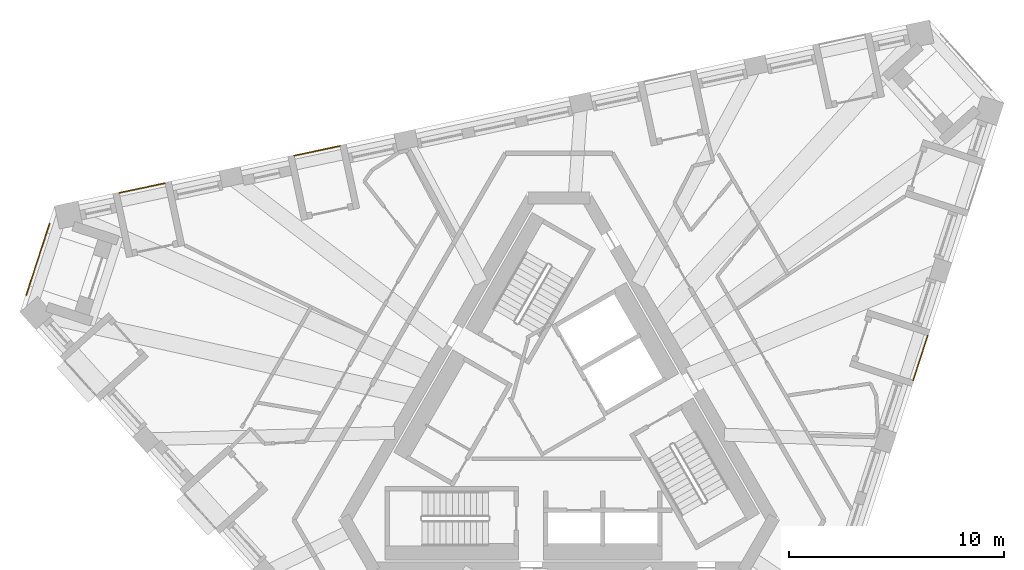
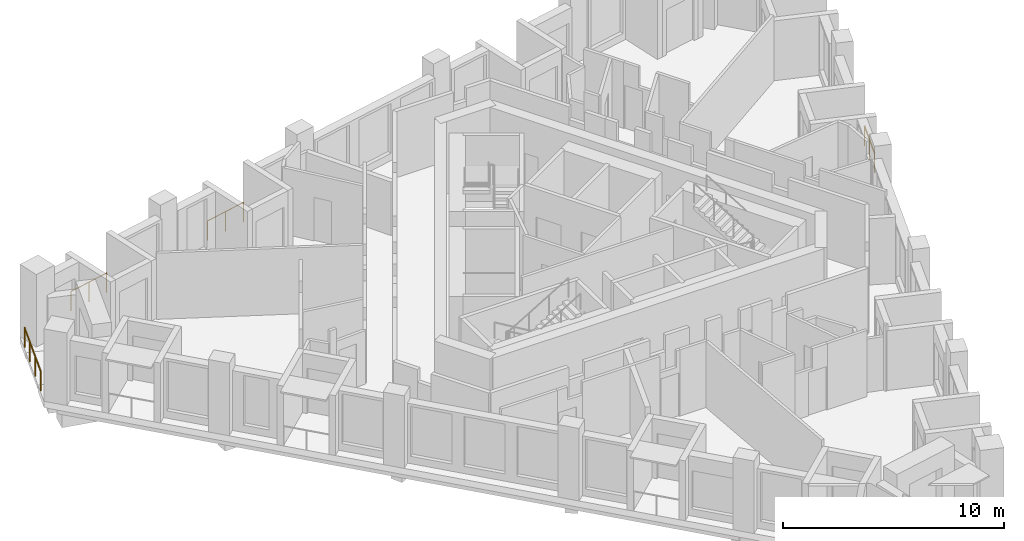
# One storey, part 11 of 12: 4 railings.
"""IFC4 building model written with IfcOpenShell, lengths in metres."""

import ifcopenshell
import ifcopenshell.guid

model = None  # the IFC model being written
_history = None  # IfcOwnerHistory: only IFC2X3 demands one
_inside = {}  # id of a spatial element -> (the spatial element, [elements in it])
_under = {}  # id of a project, library or spatial element -> (it, [spatial elements below it])
_declared = {}  # id of a project -> (the project, [libraries it declares])
_typed = {}  # id of a type object -> (the type object, [elements of that type])
_made_of = {}  # id of a material, layer set ... -> (it, [elements and type objects made of it])


def new_model(schema):
    """Start an empty IFC model of exactly this schema.

    Asked for "IFC4X3", IfcOpenShell would pick the latest addendum, in which some entities
    have other attributes; the version numbers below select the first issue.
    IFC2X3 requires an IfcOwnerHistory on every rooted entity: one is made here for all.
    """
    global model, _history
    if schema == "IFC4X3":
        model = ifcopenshell.file(schema_version=(4, 3, 0, 0))
    else:
        model = ifcopenshell.file(schema=schema)
    _inside.clear()
    _under.clear()
    _declared.clear()
    _typed.clear()
    _made_of.clear()
    _history = None
    if model.schema == "IFC2X3":
        org = make("IfcOrganization", Name="unknown")
        user = make(
            "IfcPersonAndOrganization",
            ThePerson=make("IfcPerson", FamilyName="unknown"),
            TheOrganization=org,
        )
        app = make(
            "IfcApplication",
            ApplicationDeveloper=org,
            Version="unknown",
            ApplicationFullName="unknown",
            ApplicationIdentifier="unknown",
        )
        _history = make(
            "IfcOwnerHistory",
            OwningUser=user,
            OwningApplication=app,
            ChangeAction="ADDED",
            CreationDate=0,
        )
    return model


def make(cls, **values):
    """One entity of the class cls with the attributes given. An attribute that is None is left unset."""
    return model.create_entity(
        cls, **{name: value for name, value in values.items() if value is not None}
    )


def rooted(cls, **values):
    """An entity with a GlobalId (a new one), such as an element, a storey or a relation."""
    return make(cls, GlobalId=ifcopenshell.guid.new(), OwnerHistory=_history, **values)


def si_unit(unit_type, name, prefix=None):
    """IfcSIUnit, for example si_unit("LENGTHUNIT", "METRE", prefix="MILLI")."""
    return make("IfcSIUnit", UnitType=unit_type, Prefix=prefix, Name=name)


def assignment(units):
    """IfcUnitAssignment: the units of a project."""
    return None if units is None else make("IfcUnitAssignment", Units=units)


def point(xyz):
    """IfcCartesianPoint."""
    return None if xyz is None else make("IfcCartesianPoint", Coordinates=xyz)


def direction(xyz):
    """IfcDirection."""
    return None if xyz is None else make("IfcDirection", DirectionRatios=xyz)


def frame(location, z_axis=None, x_axis=None):
    """IfcAxis2Placement3D, a coordinate frame: its origin and axes. An axis left out is left unset."""
    return make(
        "IfcAxis2Placement3D",
        Location=point(location),
        Axis=direction(z_axis),
        RefDirection=direction(x_axis),
    )


def frame_2d(location, x_axis=None):
    """IfcAxis2Placement2D, a coordinate frame in the plane: its origin and x axis."""
    return make(
        "IfcAxis2Placement2D", Location=point(location), RefDirection=direction(x_axis)
    )


def origin():
    """The frame at (0, 0, 0) with its axes left unset."""
    return frame((0.0, 0.0, 0.0))


def origin_2d():
    """The frame at (0, 0) in the plane with its x axis left unset."""
    return frame_2d((0.0, 0.0))


def place(relative_to, where):
    """IfcLocalPlacement: puts the frame where relative to a parent placement (None: the world)."""
    return make(
        "IfcLocalPlacement", PlacementRelTo=relative_to, RelativePlacement=where
    )


def context(
    kind, dimensions, precision=None, world=None, true_north=None, identifier=None
):
    """IfcGeometricRepresentationContext, for example the 3D "Model" context."""
    return make(
        "IfcGeometricRepresentationContext",
        ContextIdentifier=identifier,
        ContextType=kind,
        CoordinateSpaceDimension=dimensions,
        Precision=precision,
        WorldCoordinateSystem=world,
        TrueNorth=true_north,
    )


def subcontext(parent, identifier, kind, view, scale=None):
    """IfcGeometricRepresentationSubContext, for example "Body" below "Model"."""
    return make(
        "IfcGeometricRepresentationSubContext",
        ContextIdentifier=identifier,
        ContextType=kind,
        ParentContext=parent,
        TargetScale=scale,
        TargetView=view,
    )


def project(units=None, contexts=None):
    """IfcProject with its units and contexts."""
    return rooted(
        "IfcProject",
        Name="project",
        RepresentationContexts=contexts,
        UnitsInContext=assignment(units),
    )


def spatial(cls, under=None, at=None, **own):
    """A site, building, storey or space (cls), placed at a placement, below another one or the project."""
    s = rooted(cls, ObjectPlacement=at, **own)
    if under is not None:
        _under.setdefault(under.id(), (under, []))[1].append(s)
    return s


def profile(cls, at=None, kind="AREA", **sizes):
    """A parametric profile (cls). Its sizes go by their IFC names, for example OverallWidth=200.0."""
    return make(cls, ProfileType=kind, Position=at, **sizes)


def circle(**sizes):
    """IfcCircleProfileDef."""
    return profile("IfcCircleProfileDef", **sizes)


def extrude(swept, where, along, depth):
    """IfcExtrudedAreaSolid: the profile swept, set in the frame where, extruded along a direction by depth."""
    return make(
        "IfcExtrudedAreaSolid",
        SweptArea=swept,
        Position=where,
        ExtrudedDirection=direction(along),
        Depth=depth,
    )


def shape(context_of_items, identifier, shape_type, items):
    """IfcShapeRepresentation: the items that make up one representation, for example the "Body"."""
    return make(
        "IfcShapeRepresentation",
        ContextOfItems=context_of_items,
        RepresentationIdentifier=identifier,
        RepresentationType=shape_type,
        Items=items,
    )


def material(Name=None, Category=None):
    """IfcMaterial."""
    return make("IfcMaterial", Name=Name, Category=Category)


def made_of(thing, what):
    """Note that an element or type object is made of a material, layer set ...; save() writes the relation."""
    if what is not None:
        _made_of.setdefault(what.id(), (what, []))[1].append(thing)
    return thing


def type_object(cls, material=None, **own):
    """A type object (cls), such as IfcWallType, which elements share."""
    return made_of(rooted(cls, **own), material)


def element(
    cls,
    number,
    at=None,
    inside=None,
    cuts=None,
    type_object=None,
    material=None,
    context=None,
    identifier="Body",
    shape_type=None,
    held_by="IfcProductDefinitionShape",
    body=None,
    shapes=None,
    **own,
):
    """One element of the class cls, such as IfcWall. Its Tag is "e" and its number.

    at: its placement. inside: the storey or other place that contains it. cuts: it is an
    opening in that element (IfcRelVoidsElement). A single representation is given by context,
    identifier, shape_type and body (its items); several are given by shapes. held_by: the class
    of the entity that holds the representations. save() writes the other relations.
    """
    e = rooted(cls, Tag="e%d" % number, ObjectPlacement=at, **own)
    if body is not None:
        shapes = [shape(context, identifier, shape_type, body)]
    if shapes is not None:
        e.Representation = make(held_by, Representations=shapes)
    if inside is not None:
        _inside.setdefault(inside.id(), (inside, []))[1].append(e)
    if cuts is not None:
        rooted(
            "IfcRelVoidsElement", RelatingBuildingElement=cuts, RelatedOpeningElement=e
        )
    if type_object is not None:
        _typed.setdefault(type_object.id(), (type_object, []))[1].append(e)
    return made_of(e, material)


def aggregate(whole, parts):
    """IfcRelAggregates: a whole, such as a stair, and the parts it consists of."""
    return rooted("IfcRelAggregates", RelatingObject=whole, RelatedObjects=parts)


def save(model, path):
    """Write the relations noted so far, then the file.

    IfcRelAggregates (storeys below a building ...), IfcRelContainedInSpatialStructure (elements
    in a storey), IfcRelDefinesByType, IfcRelAssociatesMaterial and IfcRelDeclares: one each for
    every whole, place, type object, material and project.
    """
    for whole, parts in _under.values():
        aggregate(whole, parts)
    for where, things in _inside.values():
        rooted(
            "IfcRelContainedInSpatialStructure",
            RelatedElements=things,
            RelatingStructure=where,
        )
    for kind, things in _typed.values():
        rooted("IfcRelDefinesByType", RelatedObjects=things, RelatingType=kind)
    for what, things in _made_of.values():
        rooted("IfcRelAssociatesMaterial", RelatedObjects=things, RelatingMaterial=what)
    for by, libraries in _declared.values():
        rooted("IfcRelDeclares", RelatingContext=by, RelatedDefinitions=libraries)
    model.write(path)


model = new_model("IFC4")

# Units and contexts
model_context = context("Model", 3, precision=1e-05, world=origin(), true_north=direction((0.0, 1.0)))
body_context = subcontext(model_context, "Body", "Model", "MODEL_VIEW")
ifc_project = project(units=[si_unit("LENGTHUNIT", "METRE"), si_unit("AREAUNIT", "SQUARE_METRE"), si_unit("VOLUMEUNIT", "CUBIC_METRE"), si_unit("PLANEANGLEUNIT", "RADIAN"), si_unit("MASSUNIT", "GRAM", prefix="KILO")], contexts=[model_context])

# Site, building, storey
site_placement = place(None, origin())
site = spatial("IfcSite", under=ifc_project, at=site_placement, CompositionType="ELEMENT")
building_placement = place(site_placement, origin())
building = spatial("IfcBuilding", under=site, at=building_placement, Name="Tramontana Tower", CompositionType="ELEMENT")
storey_placement = place(building_placement, frame((0.0, 0.0, 340.39990234375)))
storey = spatial("IfcBuildingStorey", under=building, at=storey_placement, Name="L78", CompositionType="ELEMENT", Elevation=340.39990234375)

# Railings
ifc_material = material(Name="Laminated glass balustrade", Category="glass")
railing_type = type_object("IfcRailingType", Name="GD1 Loggia glass balustrade 1100", PredefinedType="BALUSTRADE", material=ifc_material)
railing_1_placement = place(storey_placement, frame((16.470947265625, 2.24853515625, 0.0)))
element("IfcRailing", 1, at=railing_1_placement, inside=storey, type_object=railing_type, Name="Loggia balustrade L78 G8S1.10", PredefinedType="BALUSTRADE", context=body_context, shape_type="SweptSolid", body=[
    extrude(circle(Radius=0.02392578125, at=origin_2d()), frame((0.0, 0.0, 1.076171875), z_axis=(0.308999623589, 0.95106216023, 0.0), x_axis=(-0.95106216023, 0.308999623589, 0.0)), (0.0, 0.0, 1.0), 2.171142578125),
    extrude(circle(Radius=0.02099609375, at=origin_2d()), origin(), (0.0, 0.0, 1.0), 1.052001953125),
    extrude(circle(Radius=0.02099609375, at=origin_2d()), frame((0.33544921875, 1.032470703125, 0.0)), (0.0, 0.0, 1.0), 1.052001953125),
    extrude(circle(Radius=0.02099609375, at=origin_2d()), frame((0.6708984375, 2.06494140625, 0.0)), (0.0, 0.0, 1.0), 1.052001953125),
])
railing_2_placement = place(storey_placement, frame((-10.1826171875, 13.14013671875, 0.0)))
element("IfcRailing", 2, at=railing_2_placement, inside=storey, type_object=railing_type, Name="Loggia balustrade L78 G8S2.10", PredefinedType="BALUSTRADE", context=body_context, shape_type="SweptSolid", body=[
    extrude(circle(Radius=0.02392578125, at=origin_2d()), frame((0.0, 0.0, 1.076171875), z_axis=(-0.978153135692, -0.207885649183, 0.0), x_axis=(0.207885649183, -0.978153135692, 0.0)), (0.0, 0.0, 1.0), 2.17138671875),
    extrude(circle(Radius=0.02099609375, at=origin_2d()), origin(), (0.0, 0.0, 1.0), 1.052001953125),
    extrude(circle(Radius=0.02099609375, at=origin_2d()), frame((-1.06201171875, -0.2255859375, 0.0)), (0.0, 0.0, 1.0), 1.052001953125),
    extrude(circle(Radius=0.02099609375, at=origin_2d()), frame((-2.1240234375, -0.451416015625, 0.0)), (0.0, 0.0, 1.0), 1.052001953125),
])
railing_3_placement = place(storey_placement, frame((-18.31494140625, 11.411376953125, 0.0)))
element("IfcRailing", 3, at=railing_3_placement, inside=storey, type_object=railing_type, Name="Loggia balustrade L78 G8S2.13", PredefinedType="BALUSTRADE", context=body_context, shape_type="SweptSolid", body=[
    extrude(circle(Radius=0.02392578125, at=origin_2d()), frame((0.0, 0.0, 1.076171875), z_axis=(-0.978148276005, -0.207908513891, 0.0), x_axis=(0.207908513891, -0.978148276005, 0.0)), (0.0, 0.0, 1.0), 2.171142578125),
    extrude(circle(Radius=0.02099609375, at=origin_2d()), origin(), (0.0, 0.0, 1.0), 1.052001953125),
    extrude(circle(Radius=0.02099609375, at=origin_2d()), frame((-1.06201171875, -0.2255859375, 0.0)), (0.0, 0.0, 1.0), 1.052001953125),
    extrude(circle(Radius=0.02099609375, at=origin_2d()), frame((-2.123779296875, -0.451416015625, 0.0)), (0.0, 0.0, 1.0), 1.052001953125),
])
railing_4_placement = place(storey_placement, frame((-24.76416015625, 6.206298828125, 0.0)))
element("IfcRailing", 4, at=railing_4_placement, inside=storey, type_object=railing_type, Name="Corner loggia balustrade L78 K80", PredefinedType="BALUSTRADE", context=body_context, shape_type="SweptSolid", body=[
    extrude(circle(Radius=0.02392578125, at=origin_2d()), frame((0.0, 0.0, 1.076171875), z_axis=(0.309019824916, 0.951055596592, 0.0), x_axis=(-0.951055596592, 0.309019824916, 0.0)), (0.0, 0.0, 1.0), 3.5),
    extrude(circle(Radius=0.02099609375, at=origin_2d()), origin(), (0.0, 0.0, 1.0), 1.052001953125),
    extrude(circle(Radius=0.02099609375, at=origin_2d()), frame((0.360595703125, 1.109619140625, 0.0)), (0.0, 0.0, 1.0), 1.052001953125),
    extrude(circle(Radius=0.02099609375, at=origin_2d()), frame((0.720947265625, 2.218994140625, 0.0)), (0.0, 0.0, 1.0), 1.052001953125),
    extrude(circle(Radius=0.02099609375, at=origin_2d()), frame((1.08154296875, 3.32861328125, 0.0)), (0.0, 0.0, 1.0), 1.052001953125),
])

save(model, "model.ifc")
